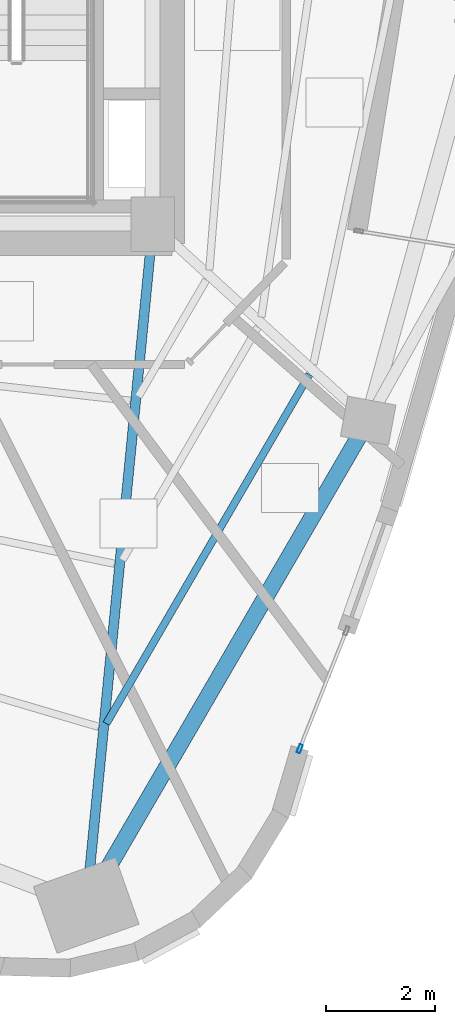
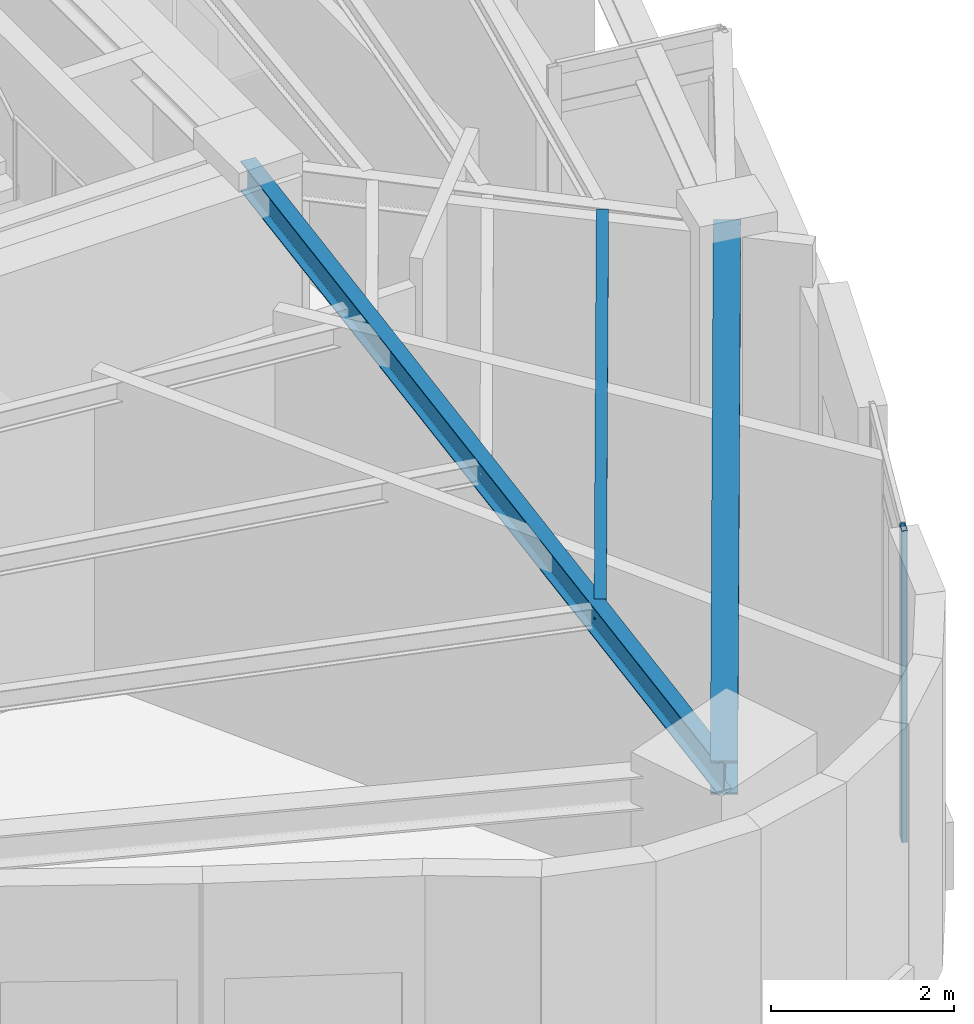
# One storey, part 2 of 14: 3 beams, 1 member, 1 element without a shape of its own.
"""IFC4 building model written with IfcOpenShell, lengths in metres."""

from ifc_helpers import new_model, si_unit, direction, frame, origin, origin_2d, place, context, subcontext, project, spatial, hollow_rectangle, i_section, extrude, material, layer, layer_set, material_profile, profile_set, type_object, element, aggregate, save


model = new_model("IFC4")

# Units and contexts
model_context = context("Model", 3, precision=1e-05, world=origin(), true_north=direction((0.0, 1.0)))
body_context = subcontext(model_context, "Body", "Model", "MODEL_VIEW")
ifc_project = project(units=[si_unit("LENGTHUNIT", "METRE"), si_unit("AREAUNIT", "SQUARE_METRE"), si_unit("VOLUMEUNIT", "CUBIC_METRE"), si_unit("PLANEANGLEUNIT", "RADIAN"), si_unit("MASSUNIT", "GRAM", prefix="KILO")], contexts=[model_context])

# Site, building, storey
site_placement = place(None, origin())
site = spatial("IfcSite", under=ifc_project, at=site_placement, CompositionType="ELEMENT")
building_placement = place(site_placement, origin())
building = spatial("IfcBuilding", under=site, at=building_placement, Name="Ndelora Gate Hotel", CompositionType="ELEMENT")
storey_placement = place(building_placement, frame((0.0, 0.0, 277.199951171875)))
storey = spatial("IfcBuildingStorey", under=building, at=storey_placement, Name="L69", CompositionType="ELEMENT", Elevation=277.199951171875)

# Beams
ifc_material_1 = material(Name="Steel S355", Category="steel")
ifc_material_profile_1 = material_profile(ifc_material_1, i_section(OverallWidth=0.135009765625, OverallDepth=0.27001953125, WebThickness=0.006591796875, FlangeThickness=0.01025390625, FilletRadius=0.014892578125, at=origin_2d()), Name="IPE 270")
ifc_profile_set_1 = profile_set([ifc_material_profile_1], Name="Steel S355")
beam_type_1 = type_object("IfcBeamType", Name="BM-JST-270", PredefinedType="JOIST", material=ifc_profile_set_1)
beam_1_placement = place(storey_placement, frame((7.14208984375, -15.78271484375, 4.01513671875), z_axis=(0.502744947519, 0.864434796699, 0.0), x_axis=(-0.864434796699, 0.502744947519, 0.0)))
element("IfcBeam", 1, at=beam_1_placement, inside=storey, type_object=beam_type_1, Name="L69 Secondary Composite Floor Joist OUT-5", PredefinedType="JOIST", context=body_context, shape_type="SweptSolid", body=[
    extrude(i_section(OverallWidth=0.135009765625, OverallDepth=0.27001953125, WebThickness=0.006591796875, FlangeThickness=0.01025390625, FilletRadius=0.014892578125, at=origin_2d()), origin(), (0.0, 0.0, 1.0), 7.430419921875),
])
ifc_material_profile_2 = material_profile(ifc_material_1, i_section(OverallWidth=0.179931640625, OverallDepth=0.39990234375, WebThickness=0.008544921875, FlangeThickness=0.013427734375, FilletRadius=0.02099609375, at=origin_2d()), Name="IPE 400")
ifc_profile_set_2 = profile_set([ifc_material_profile_2], Name="Steel S355")
beam_type_2 = type_object("IfcBeamType", Name="BM-RAD-400", PredefinedType="BEAM", material=ifc_profile_set_2)
beam_2_placement = place(storey_placement, frame((8.0, -6.60009765625, 3.949951171875), z_axis=(-0.097513783863, -0.995234174432, 0.0), x_axis=(0.995234174432, -0.097513783863, 0.0)))
element("IfcBeam", 2, at=beam_2_placement, inside=storey, type_object=beam_type_2, Name="L69 Radial Floor Girder 5", PredefinedType="BEAM", context=body_context, shape_type="SweptSolid", body=[
    extrude(i_section(OverallWidth=0.179931640625, OverallDepth=0.39990234375, WebThickness=0.008544921875, FlangeThickness=0.013427734375, FilletRadius=0.02099609375, at=origin_2d()), origin(), (0.0, 0.0, 1.0), 12.5859375),
])
ifc_material_profile_3 = material_profile(ifc_material_1, i_section(OverallWidth=0.300048828125, OverallDepth=0.449951171875, WebThickness=0.013916015625, FlangeThickness=0.02587890625, FilletRadius=0.027099609375, at=origin_2d()), Name="HEB 450")
ifc_profile_set_3 = profile_set([ifc_material_profile_3], Name="Steel S355")
beam_type_3 = type_object("IfcBeamType", Name="BM-RING-450", PredefinedType="SPANDREL", material=ifc_profile_set_3)
beam_3_placement = place(storey_placement, frame((6.772705078125, -19.1259765625, 3.925048828125), z_axis=(0.502738555714, 0.864438514065, 0.0), x_axis=(-0.864438514065, 0.502738555714, 0.0)))
element("IfcBeam", 3, at=beam_3_placement, inside=storey, type_object=beam_type_3, Name="L69 Perimeter Spandrel Girder 5", PredefinedType="SPANDREL", context=body_context, shape_type="SweptSolid", body=[
    extrude(i_section(OverallWidth=0.300048828125, OverallDepth=0.449951171875, WebThickness=0.013916015625, FlangeThickness=0.02587890625, FilletRadius=0.027099609375, at=origin_2d()), origin(), (0.0, 0.0, 1.0), 10.311767578125),
])

# Curtain wall, member
ifc_material_2 = material(Name="Bronze Anodised Unitised Aluminium and Low-E Glass", Category="aluminium")
ifc_layer = layer(ifc_material_2, 0.219970703125)
ifc_layer_set = layer_set([ifc_layer], Name="Bronze Anodised Unitised Aluminium and Low-E Glass")
curtain_wall_type = type_object("IfcCurtainWallType", Name="CW-SYS-6", PredefinedType="NOTDEFINED", material=ifc_layer_set)
curtain_wall_placement = place(storey_placement, origin())
curtain_wall = element("IfcCurtainWall", 4, at=curtain_wall_placement, inside=storey, type_object=curtain_wall_type, Name="L69 Crown Sky-Restaurant & Cocktail Bar Curtain Wall 2", PredefinedType="NOTDEFINED")
ifc_material_3 = material(Name="Bronze Anodised Aluminium 6063-T6", Category="aluminium")
ifc_material_profile_4 = material_profile(ifc_material_3, hollow_rectangle(XDim=0.06494140625, YDim=0.159912109375, WallThickness=0.00390625, InnerFilletRadius=0.00390625, OuterFilletRadius=0.008056640625, at=origin_2d()), Name="ALU 160x65x4")
ifc_profile_set_4 = profile_set([ifc_material_profile_4], Name="Bronze Anodised Aluminium 6063-T6")
member_type = type_object("IfcMemberType", Name="MB-CW-MUL150", PredefinedType="MULLION", material=ifc_profile_set_4)
member_placement = place(storey_placement, frame((10.698486328125, -16.24755859375, -0.00390625), z_axis=(0.0, 0.0, 1.0), x_axis=(-0.929665067652, 0.3684058387, 0.0)))
member = element("IfcMember", 5, at=member_placement, type_object=member_type, Name="CW6 mullion 1", PredefinedType="MULLION", context=body_context, shape_type="SweptSolid", body=[
    extrude(hollow_rectangle(XDim=0.06494140625, YDim=0.159912109375, WallThickness=0.00390625, InnerFilletRadius=0.00390625, OuterFilletRadius=0.008056640625, at=origin_2d()), origin(), (0.0, 0.0, 1.0), 4.157958984375),
])
aggregate(curtain_wall, [member])

save(model, "model.ifc")
